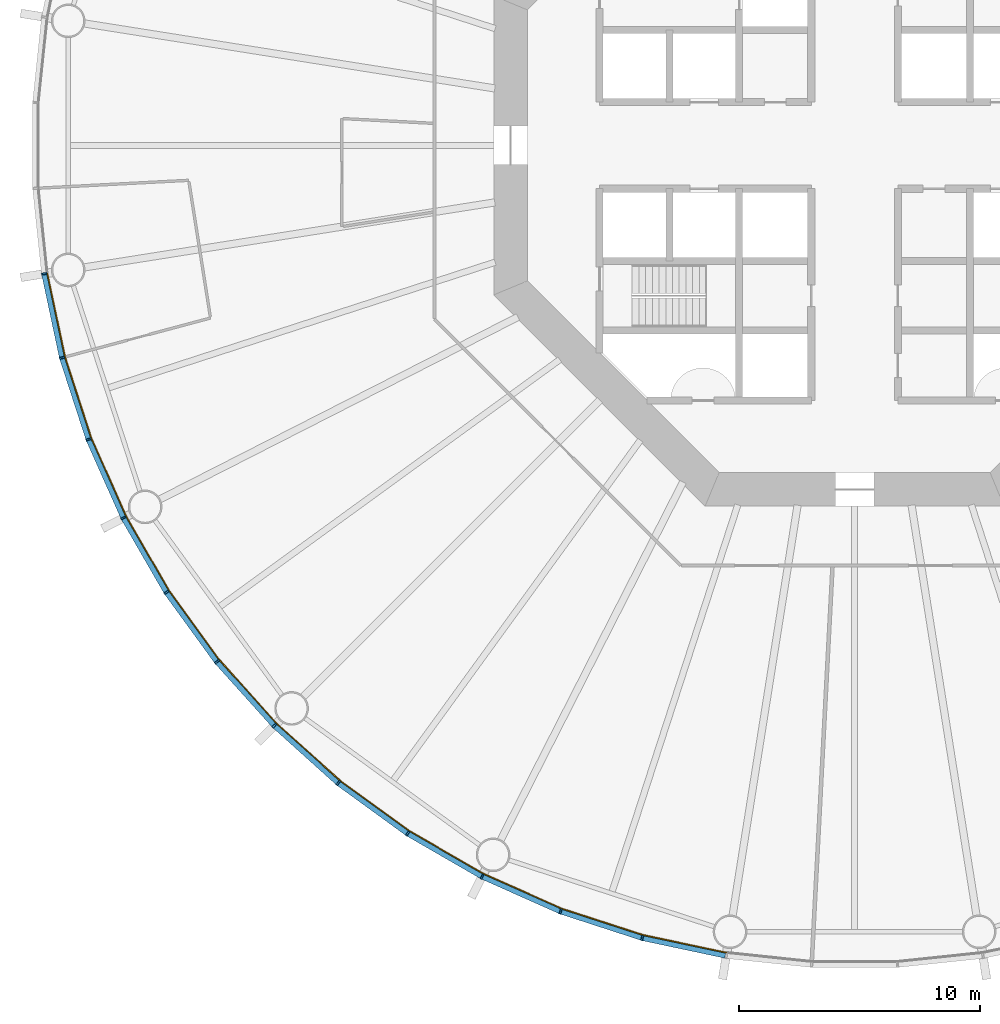
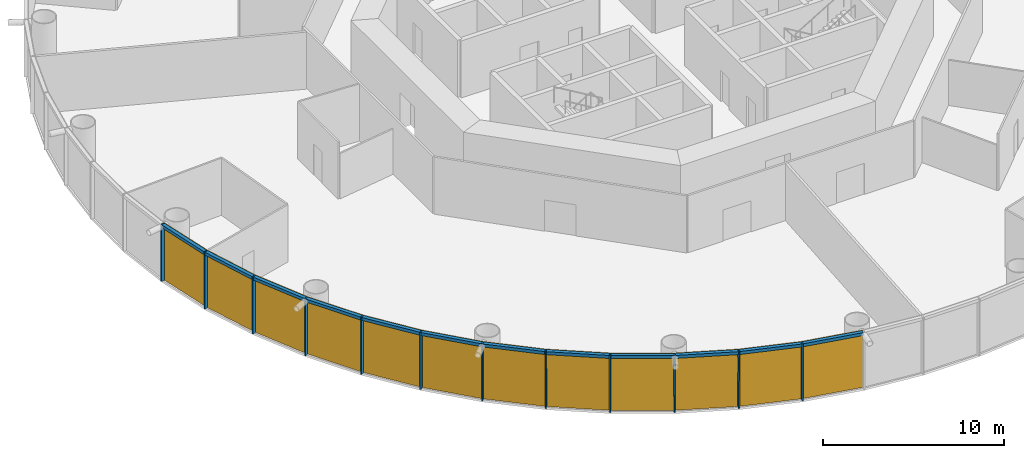
# One storey, part 6 of 12: 24 members, 4 curtain walls.
"""IFC4 building model written with IfcOpenShell, lengths in metres."""

from ifc_helpers import new_model, si_unit, direction, frame, origin, origin_2d, place, context, subcontext, project, spatial, polyline, rectangle, outline, extrude, material, layer, layer_set, material_profile, profile_set, type_object, element, aggregate, save


model = new_model("IFC4")

# Units and contexts
model_context = context("Model", 3, precision=1e-05, world=origin(), true_north=direction((0.0, 1.0)))
body_context = subcontext(model_context, "Body", "Model", "MODEL_VIEW")
ifc_project = project(units=[si_unit("LENGTHUNIT", "METRE"), si_unit("AREAUNIT", "SQUARE_METRE"), si_unit("VOLUMEUNIT", "CUBIC_METRE"), si_unit("PLANEANGLEUNIT", "RADIAN"), si_unit("MASSUNIT", "GRAM", prefix="KILO")], contexts=[model_context])

# Member
ifc_material_1 = material(Name="Anodised aluminium", Category="aluminium")
ifc_material_profile_1 = material_profile(ifc_material_1, rectangle(XDim=0.074951171875, YDim=0.219970703125, at=origin_2d()), Name="Mullion 75 x 220 mm anodised aluminium")
ifc_profile_set_1 = profile_set([ifc_material_profile_1], Name="Anodised aluminium")
member_type_1 = type_object("IfcMemberType", Name="Mullion 75 x 220 mm anodised aluminium", PredefinedType="MULLION", material=ifc_profile_set_1)
site_placement = place(None, origin())
building_placement = place(site_placement, origin())
storey_placement = place(building_placement, frame((0.0, 0.0, 70.0)))
member_1_placement = place(storey_placement, frame((56.31005859375, 74.6640625, 0.0), z_axis=(0.0, 0.0, 1.0), x_axis=(0.15643446504, -0.987688340595, 0.0)))
member_1 = element("IfcMember", 1, at=member_1_placement, type_object=member_type_1, Name="MULLION L15-30", PredefinedType="MULLION", context=body_context, shape_type="SweptSolid", body=[
    extrude(rectangle(XDim=0.074951171875, YDim=0.219970703125, at=origin_2d()), origin(), (0.0, 0.0, 1.0), 3.85009765625),
])

member_2_placement = place(storey_placement, frame((57.05224609375, 71.171630859375, 0.0), z_axis=(0.0, 0.0, 1.0), x_axis=(0.258819045103, -0.965925826289, 0.0)))
member_2 = element("IfcMember", 2, at=member_2_placement, type_object=member_type_1, Name="MULLION L15-31", PredefinedType="MULLION", context=body_context, shape_type="SweptSolid", body=[
    extrude(rectangle(XDim=0.074951171875, YDim=0.219970703125, at=origin_2d()), origin(), (0.0, 0.0, 1.0), 3.85009765625),
])

member_3_placement = place(storey_placement, frame((58.155517578125, 67.776123046875, 0.0), z_axis=(0.0, 0.0, 1.0), x_axis=(0.358367949545, -0.933580426497, 0.0)))
member_3 = element("IfcMember", 3, at=member_3_placement, type_object=member_type_1, Name="MULLION L15-32", PredefinedType="MULLION", context=body_context, shape_type="SweptSolid", body=[
    extrude(rectangle(XDim=0.074951171875, YDim=0.219970703125, at=origin_2d()), origin(), (0.0, 0.0, 1.0), 3.85009765625),
])

member_4_placement = place(storey_placement, frame((59.607666015625, 64.514404296875, 0.0), z_axis=(0.0, 0.0, 1.0), x_axis=(0.45399049974, -0.891006524188, 0.0)))
member_4 = element("IfcMember", 4, at=member_4_placement, type_object=member_type_1, Name="MULLION L15-33", PredefinedType="MULLION", context=body_context, shape_type="SweptSolid", body=[
    extrude(rectangle(XDim=0.074951171875, YDim=0.219970703125, at=origin_2d()), origin(), (0.0, 0.0, 1.0), 3.85009765625),
])

member_5_placement = place(storey_placement, frame((61.39306640625, 61.42236328125, 0.0), z_axis=(0.0, 0.0, 1.0), x_axis=(0.544639035015, -0.838670567945, 0.0)))
member_5 = element("IfcMember", 5, at=member_5_placement, type_object=member_type_1, Name="MULLION L15-34", PredefinedType="MULLION", context=body_context, shape_type="SweptSolid", body=[
    extrude(rectangle(XDim=0.074951171875, YDim=0.219970703125, at=origin_2d()), origin(), (0.0, 0.0, 1.0), 3.85009765625),
])

member_6_placement = place(storey_placement, frame((63.491455078125, 58.533935546875, 0.0), z_axis=(0.0, 0.0, 1.0), x_axis=(0.62932039105, -0.777145961457, 0.0)))
member_6 = element("IfcMember", 6, at=member_6_placement, type_object=member_type_1, Name="MULLION L15-35", PredefinedType="MULLION", context=body_context, shape_type="SweptSolid", body=[
    extrude(rectangle(XDim=0.074951171875, YDim=0.219970703125, at=origin_2d()), origin(), (0.0, 0.0, 1.0), 3.85009765625),
])

member_7_placement = place(storey_placement, frame((65.880615234375, 55.880615234375, 0.0), z_axis=(0.0, 0.0, 1.0), x_axis=(0.707106781187, -0.707106781187, 0.0)))
member_7 = element("IfcMember", 7, at=member_7_placement, type_object=member_type_1, Name="MULLION L15-36", PredefinedType="MULLION", context=body_context, shape_type="SweptSolid", body=[
    extrude(rectangle(XDim=0.074951171875, YDim=0.219970703125, at=origin_2d()), origin(), (0.0, 0.0, 1.0), 3.85009765625),
])

member_8_placement = place(storey_placement, frame((68.533935546875, 53.491455078125, 0.0), z_axis=(0.0, 0.0, 1.0), x_axis=(0.777145961457, -0.62932039105, 0.0)))
member_8 = element("IfcMember", 8, at=member_8_placement, type_object=member_type_1, Name="MULLION L15-37", PredefinedType="MULLION", context=body_context, shape_type="SweptSolid", body=[
    extrude(rectangle(XDim=0.074951171875, YDim=0.219970703125, at=origin_2d()), origin(), (0.0, 0.0, 1.0), 3.85009765625),
])

member_9_placement = place(storey_placement, frame((71.42236328125, 51.39306640625, 0.0), z_axis=(0.0, 0.0, 1.0), x_axis=(0.838670567945, -0.544639035015, 0.0)))
member_9 = element("IfcMember", 9, at=member_9_placement, type_object=member_type_1, Name="MULLION L15-38", PredefinedType="MULLION", context=body_context, shape_type="SweptSolid", body=[
    extrude(rectangle(XDim=0.074951171875, YDim=0.219970703125, at=origin_2d()), origin(), (0.0, 0.0, 1.0), 3.85009765625),
])

member_10_placement = place(storey_placement, frame((74.514404296875, 49.607666015625, 0.0), z_axis=(0.0, 0.0, 1.0), x_axis=(0.891006524188, -0.45399049974, 0.0)))
member_10 = element("IfcMember", 10, at=member_10_placement, type_object=member_type_1, Name="MULLION L15-39", PredefinedType="MULLION", context=body_context, shape_type="SweptSolid", body=[
    extrude(rectangle(XDim=0.074951171875, YDim=0.219970703125, at=origin_2d()), origin(), (0.0, 0.0, 1.0), 3.85009765625),
])

member_11_placement = place(storey_placement, frame((77.776123046875, 48.155517578125, 0.0), z_axis=(0.0, 0.0, 1.0), x_axis=(0.933580426497, -0.358367949545, 0.0)))
member_11 = element("IfcMember", 11, at=member_11_placement, type_object=member_type_1, Name="MULLION L15-40", PredefinedType="MULLION", context=body_context, shape_type="SweptSolid", body=[
    extrude(rectangle(XDim=0.074951171875, YDim=0.219970703125, at=origin_2d()), origin(), (0.0, 0.0, 1.0), 3.85009765625),
])

member_12_placement = place(storey_placement, frame((81.171630859375, 47.05224609375, 0.0), z_axis=(0.0, 0.0, 1.0), x_axis=(0.965925826289, -0.258819045103, 0.0)))
member_12 = element("IfcMember", 12, at=member_12_placement, type_object=member_type_1, Name="MULLION L15-41", PredefinedType="MULLION", context=body_context, shape_type="SweptSolid", body=[
    extrude(rectangle(XDim=0.074951171875, YDim=0.219970703125, at=origin_2d()), origin(), (0.0, 0.0, 1.0), 3.85009765625),
])

ifc_material_2 = material(Name="Anodised aluminium", Category="aluminium")
ifc_material_profile_2 = material_profile(ifc_material_2, rectangle(XDim=0.219970703125, YDim=0.199951171875, at=origin_2d()), Name="Transom 200 x 220 mm anodised aluminium")
ifc_profile_set_2 = profile_set([ifc_material_profile_2], Name="Anodised aluminium")
member_type_2 = type_object("IfcMemberType", Name="Transom 200 x 220 mm anodised aluminium", PredefinedType="USERDEFINED", material=ifc_profile_set_2)
member_13_placement = place(storey_placement, frame((56.31884765625, 74.62158203125, 3.75), z_axis=(0.207920776701, -0.978145669426, 0.0), x_axis=(0.978145669426, 0.207920776701, 0.0)))
member_13 = element("IfcMember", 13, at=member_13_placement, type_object=member_type_2, Name="TRANSOM L15-30", ObjectType="TRANSOM", PredefinedType="USERDEFINED", context=body_context, shape_type="SweptSolid", body=[
    extrude(rectangle(XDim=0.219970703125, YDim=0.199951171875, at=origin_2d()), origin(), (0.0, 0.0, 1.0), 3.48388671875),
])

member_14_placement = place(storey_placement, frame((57.0654296875, 71.130615234375, 3.75), z_axis=(0.309029029702, -0.951052605696, 0.0), x_axis=(0.951052605696, 0.309029029702, 0.0)))
member_14 = element("IfcMember", 14, at=member_14_placement, type_object=member_type_2, Name="TRANSOM L15-31", ObjectType="TRANSOM", PredefinedType="USERDEFINED", context=body_context, shape_type="SweptSolid", body=[
    extrude(rectangle(XDim=0.219970703125, YDim=0.199951171875, at=origin_2d()), origin(), (0.0, 0.0, 1.0), 3.484130859375),
])

member_15_placement = place(storey_placement, frame((58.173095703125, 67.736572265625, 3.75), z_axis=(0.406736576304, -0.913545487371, 0.0), x_axis=(0.913545487371, 0.406736576304, 0.0)))
member_15 = element("IfcMember", 15, at=member_15_placement, type_object=member_type_2, Name="TRANSOM L15-32", ObjectType="TRANSOM", PredefinedType="USERDEFINED", context=body_context, shape_type="SweptSolid", body=[
    extrude(rectangle(XDim=0.219970703125, YDim=0.199951171875, at=origin_2d()), origin(), (0.0, 0.0, 1.0), 3.48388671875),
])

member_16_placement = place(storey_placement, frame((59.629150390625, 64.476806640625, 3.75), z_axis=(0.500005538244, -0.866022206254, 0.0), x_axis=(0.866022206254, 0.500005538244, 0.0)))
member_16 = element("IfcMember", 16, at=member_16_placement, type_object=member_type_2, Name="TRANSOM L15-33", ObjectType="TRANSOM", PredefinedType="USERDEFINED", context=body_context, shape_type="SweptSolid", body=[
    extrude(rectangle(XDim=0.219970703125, YDim=0.199951171875, at=origin_2d()), origin(), (0.0, 0.0, 1.0), 3.48388671875),
])

member_17_placement = place(storey_placement, frame((61.418212890625, 61.38720703125, 3.75), z_axis=(0.587821627006, -0.80899056535, 0.0), x_axis=(0.80899056535, 0.587821627006, 0.0)))
member_17 = element("IfcMember", 17, at=member_17_placement, type_object=member_type_2, Name="TRANSOM L15-34", ObjectType="TRANSOM", PredefinedType="USERDEFINED", context=body_context, shape_type="SweptSolid", body=[
    extrude(rectangle(XDim=0.219970703125, YDim=0.199951171875, at=origin_2d()), origin(), (0.0, 0.0, 1.0), 3.48388671875),
])

member_18_placement = place(storey_placement, frame((63.520263671875, 58.501708984375, 3.75), z_axis=(0.669138930974, -0.743137329876, 0.0), x_axis=(0.743137329876, 0.669138930974, 0.0)))
member_18 = element("IfcMember", 18, at=member_18_placement, type_object=member_type_2, Name="TRANSOM L15-35", ObjectType="TRANSOM", PredefinedType="USERDEFINED", context=body_context, shape_type="SweptSolid", body=[
    extrude(rectangle(XDim=0.219970703125, YDim=0.199951171875, at=origin_2d()), origin(), (0.0, 0.0, 1.0), 3.484130859375),
])

member_19_placement = place(storey_placement, frame((65.91259765625, 55.8515625, 3.75), z_axis=(0.743137329876, -0.669138930974, 0.0), x_axis=(0.669138930974, 0.743137329876, 0.0)))
member_19 = element("IfcMember", 19, at=member_19_placement, type_object=member_type_2, Name="TRANSOM L15-36", ObjectType="TRANSOM", PredefinedType="USERDEFINED", context=body_context, shape_type="SweptSolid", body=[
    extrude(rectangle(XDim=0.219970703125, YDim=0.199951171875, at=origin_2d()), origin(), (0.0, 0.0, 1.0), 3.484130859375),
])

member_20_placement = place(storey_placement, frame((68.56884765625, 53.466064453125, 3.75), z_axis=(0.80899056535, -0.587821627006, 0.0), x_axis=(0.587821627006, 0.80899056535, 0.0)))
member_20 = element("IfcMember", 20, at=member_20_placement, type_object=member_type_2, Name="TRANSOM L15-37", ObjectType="TRANSOM", PredefinedType="USERDEFINED", context=body_context, shape_type="SweptSolid", body=[
    extrude(rectangle(XDim=0.219970703125, YDim=0.199951171875, at=origin_2d()), origin(), (0.0, 0.0, 1.0), 3.48388671875),
])

member_21_placement = place(storey_placement, frame((71.459716796875, 51.37109375, 3.75), z_axis=(0.866022206254, -0.500005538244, 0.0), x_axis=(0.500005538244, 0.866022206254, 0.0)))
member_21 = element("IfcMember", 21, at=member_21_placement, type_object=member_type_2, Name="TRANSOM L15-38", ObjectType="TRANSOM", PredefinedType="USERDEFINED", context=body_context, shape_type="SweptSolid", body=[
    extrude(rectangle(XDim=0.219970703125, YDim=0.199951171875, at=origin_2d()), origin(), (0.0, 0.0, 1.0), 3.48388671875),
])

member_22_placement = place(storey_placement, frame((74.553955078125, 49.590087890625, 3.75), z_axis=(0.913545487371, -0.406736576304, 0.0), x_axis=(0.406736576304, 0.913545487371, 0.0)))
member_22 = element("IfcMember", 22, at=member_22_placement, type_object=member_type_2, Name="TRANSOM L15-39", ObjectType="TRANSOM", PredefinedType="USERDEFINED", context=body_context, shape_type="SweptSolid", body=[
    extrude(rectangle(XDim=0.219970703125, YDim=0.199951171875, at=origin_2d()), origin(), (0.0, 0.0, 1.0), 3.48388671875),
])

member_23_placement = place(storey_placement, frame((77.817138671875, 48.14208984375, 3.75), z_axis=(0.951052605696, -0.309029029702, 0.0), x_axis=(0.309029029702, 0.951052605696, 0.0)))
member_23 = element("IfcMember", 23, at=member_23_placement, type_object=member_type_2, Name="TRANSOM L15-40", ObjectType="TRANSOM", PredefinedType="USERDEFINED", context=body_context, shape_type="SweptSolid", body=[
    extrude(rectangle(XDim=0.219970703125, YDim=0.199951171875, at=origin_2d()), origin(), (0.0, 0.0, 1.0), 3.484130859375),
])

member_24_placement = place(storey_placement, frame((81.2138671875, 47.043212890625, 3.75), z_axis=(0.978145669426, -0.207920776701, 0.0), x_axis=(0.207920776701, 0.978145669426, 0.0)))
member_24 = element("IfcMember", 24, at=member_24_placement, type_object=member_type_2, Name="TRANSOM L15-41", ObjectType="TRANSOM", PredefinedType="USERDEFINED", context=body_context, shape_type="SweptSolid", body=[
    extrude(rectangle(XDim=0.219970703125, YDim=0.199951171875, at=origin_2d()), origin(), (0.0, 0.0, 1.0), 3.48388671875),
])

# Site, building, storey
site = spatial("IfcSite", under=ifc_project, at=site_placement, CompositionType="ELEMENT")
building = spatial("IfcBuilding", under=site, at=building_placement, Name="Entoto Ring Tower", CompositionType="ELEMENT")
storey = spatial("IfcBuildingStorey", under=building, at=storey_placement, Name="L15", CompositionType="ELEMENT", Elevation=70.0)

# Curtain wall
ifc_material_3 = material(Name="Clear low-iron glass", Category="glass")
ifc_layer = layer(ifc_material_3, 0.0400390625)
ifc_layer_set = layer_set([ifc_layer], Name="Clear low-iron glass")
curtain_wall_type = type_object("IfcCurtainWallType", Name="Curtain wall system CW1 glazing 40 mm", PredefinedType="NOTDEFINED", material=ifc_layer_set)
curtain_wall_1_placement = place(storey_placement, origin())
curtain_wall_1 = element("IfcCurtainWall", 25, at=curtain_wall_1_placement, inside=storey, type_object=curtain_wall_type, Name="CW1 L15-11", PredefinedType="NOTDEFINED", context=body_context, shape_type="SweptSolid", body=[
    extrude(outline(polyline([(56.418701171875, 74.68115234375), (57.158447265625, 71.2001953125), (58.25830078125, 67.8154296875), (59.705810546875, 64.564208984375), (59.741455078125, 64.58251953125), (58.295654296875, 67.829833984375), (57.197265625, 71.21044921875), (56.458251953125, 74.6875), (56.418701171875, 74.68115234375)])), origin(), (0.0, 0.0, 1.0), 3.85009765625),
])

aggregate(curtain_wall_1, [member_1, member_2, member_3, member_13, member_14, member_15])

curtain_wall_2_placement = place(storey_placement, origin())
curtain_wall_2 = element("IfcCurtainWall", 26, at=curtain_wall_2_placement, inside=storey, type_object=curtain_wall_type, Name="CW1 L15-12", PredefinedType="NOTDEFINED", context=body_context, shape_type="SweptSolid", body=[
    extrude(outline(polyline([(59.705810546875, 64.564208984375), (61.485107421875, 61.482177734375), (63.5771484375, 58.60302734375), (65.958251953125, 55.958251953125), (65.986572265625, 55.986572265625), (63.608154296875, 58.62841796875), (61.518798828125, 61.504150390625), (59.741455078125, 64.58251953125), (59.705810546875, 64.564208984375)])), origin(), (0.0, 0.0, 1.0), 3.85009765625),
])

aggregate(curtain_wall_2, [member_4, member_5, member_6, member_16, member_17, member_18])

curtain_wall_3_placement = place(storey_placement, origin())
curtain_wall_3 = element("IfcCurtainWall", 27, at=curtain_wall_3_placement, inside=storey, type_object=curtain_wall_type, Name="CW1 L15-13", PredefinedType="NOTDEFINED", context=body_context, shape_type="SweptSolid", body=[
    extrude(outline(polyline([(65.958251953125, 55.958251953125), (68.60302734375, 53.5771484375), (71.482177734375, 51.485107421875), (74.564208984375, 49.705810546875), (74.58251953125, 49.741455078125), (71.504150390625, 51.518798828125), (68.62841796875, 53.608154296875), (65.986572265625, 55.986572265625), (65.958251953125, 55.958251953125)])), origin(), (0.0, 0.0, 1.0), 3.85009765625),
])

aggregate(curtain_wall_3, [member_7, member_8, member_9, member_19, member_20, member_21])

curtain_wall_4_placement = place(storey_placement, origin())
curtain_wall_4 = element("IfcCurtainWall", 28, at=curtain_wall_4_placement, inside=storey, type_object=curtain_wall_type, Name="CW1 L15-14", PredefinedType="NOTDEFINED", context=body_context, shape_type="SweptSolid", body=[
    extrude(outline(polyline([(74.564208984375, 49.705810546875), (77.8154296875, 48.25830078125), (81.2001953125, 47.158447265625), (84.68115234375, 46.418701171875), (84.6875, 46.458251953125), (81.21044921875, 47.197265625), (77.829833984375, 48.295654296875), (74.58251953125, 49.741455078125), (74.564208984375, 49.705810546875)])), origin(), (0.0, 0.0, 1.0), 3.85009765625),
])

aggregate(curtain_wall_4, [member_10, member_11, member_12, member_22, member_23, member_24])

save(model, "model.ifc")
